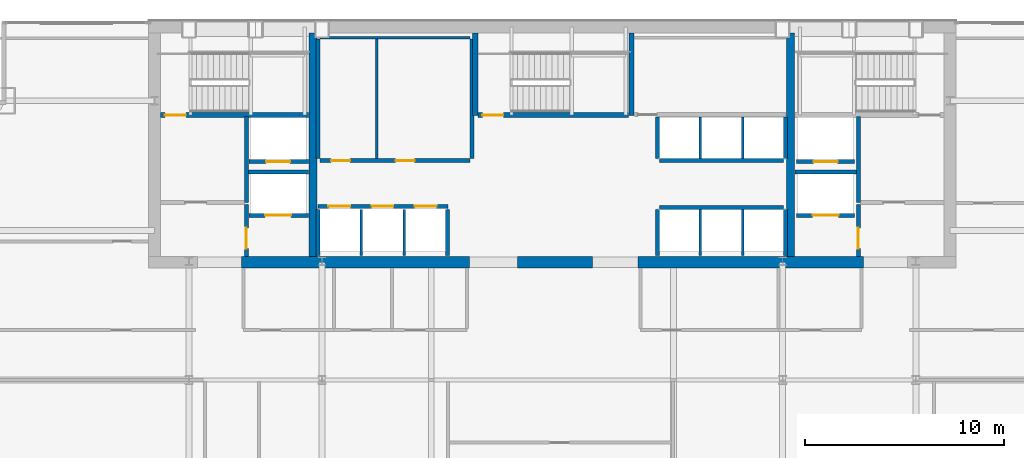
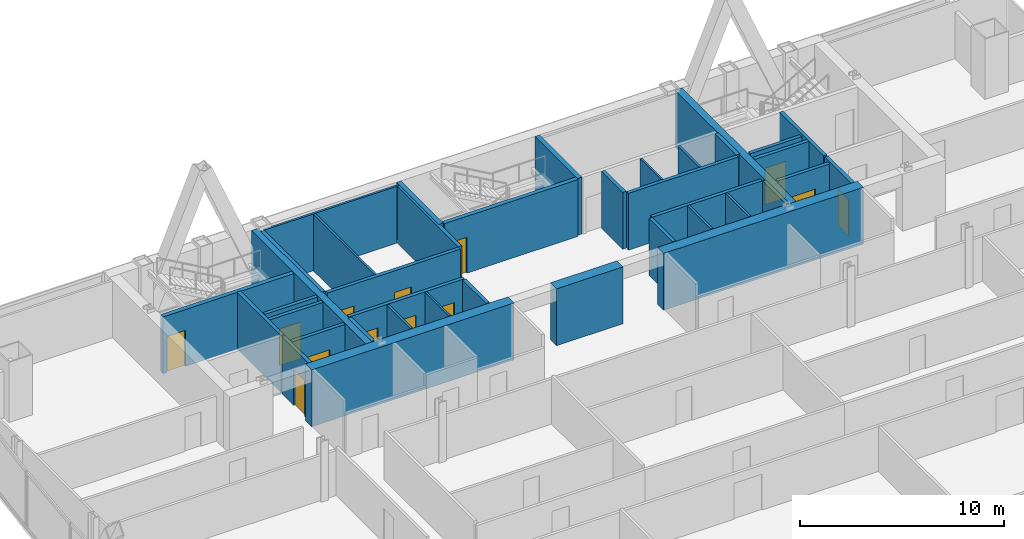
# One storey, part 26 of 29: 39 walls, 13 doors, 13 openings.
"""IFC4 building model written with IfcOpenShell, lengths in metres."""

from ifc_helpers import new_model, si_unit, direction, frame, frame_2d, origin, place, context, subcontext, project, spatial, rectangle, extrude, material, layer, layer_set, type_object, element, fill, save


model = new_model("IFC4")

# Units and contexts
model_context = context("Model", 3, precision=1e-05, world=origin(), true_north=direction((0.0, 1.0)))
body_context = subcontext(model_context, "Body", "Model", "MODEL_VIEW")
ifc_project = project(units=[si_unit("LENGTHUNIT", "METRE"), si_unit("AREAUNIT", "SQUARE_METRE"), si_unit("VOLUMEUNIT", "CUBIC_METRE"), si_unit("PLANEANGLEUNIT", "RADIAN"), si_unit("MASSUNIT", "GRAM", prefix="KILO")], contexts=[model_context])

# Site, building, storey
site_placement = place(None, origin())
site = spatial("IfcSite", under=ifc_project, at=site_placement, CompositionType="ELEMENT")
building_placement = place(site_placement, origin())
building = spatial("IfcBuilding", under=site, at=building_placement, Name="Khoronbel Lancet Exchange", CompositionType="ELEMENT")
storey_placement = place(building_placement, frame((0.0, 0.0, 180.60009765625)))
storey = spatial("IfcBuildingStorey", under=building, at=storey_placement, Name="L45", CompositionType="ELEMENT", Elevation=180.60009765625)

# Walls
ifc_material_1 = material(Name="Concrete C60/75", Category="concrete")
ifc_layer_1 = layer(ifc_material_1, 0.60009765625, Name="Concrete C60/75")
ifc_layer_set_1 = layer_set([ifc_layer_1], Name="Concrete C60/75")
wall_type_1 = type_object("IfcWallType", Name="WL-CW3", PredefinedType="SHEAR", material=ifc_layer_set_1)
wall_1_placement = place(storey_placement, frame((32.300048828125, 41.60009765625, 0.0), z_axis=(0.0, 0.0, 1.0), x_axis=(-1.0, 0.0, 0.0)))
element("IfcWall", 1, at=wall_1_placement, inside=storey, type_object=wall_type_1, Name="Level L45 rear core south shear wall pier P2", PredefinedType="SHEAR", context=body_context, shape_type="SweptSolid", body=[
    extrude(rectangle(XDim=11.449951171875, YDim=0.60009765625, at=frame_2d((5.72509765625, 0.0))), origin(), (0.0, 0.0, 1.0), 3.39990234375),
])
wall_2_placement = place(storey_placement, frame((38.449951171875, 41.60009765625, 0.0), z_axis=(0.0, 0.0, 1.0), x_axis=(-1.0, 0.0, 0.0)))
element("IfcWall", 2, at=wall_2_placement, inside=storey, type_object=wall_type_1, Name="Level L45 rear core south shear wall pier P3", PredefinedType="SHEAR", context=body_context, shape_type="SweptSolid", body=[
    extrude(rectangle(XDim=3.75, YDim=0.60009765625, at=frame_2d((1.875, 0.0))), origin(), (0.0, 0.0, 1.0), 3.39990234375),
])
wall_3_placement = place(storey_placement, frame((52.050048828125, 41.60009765625, 0.0), z_axis=(0.0, 0.0, 1.0), x_axis=(-1.0, 0.0, 0.0)))
element("IfcWall", 3, at=wall_3_placement, inside=storey, type_object=wall_type_1, Name="Level L45 rear core south shear wall pier P4", PredefinedType="SHEAR", context=body_context, shape_type="SweptSolid", body=[
    extrude(rectangle(XDim=11.300048828125, YDim=0.60009765625, at=frame_2d((5.64990234375, 0.0))), origin(), (0.0, 0.0, 1.0), 3.39990234375),
])
ifc_material_2 = material(Name="Fire-Rated Metal-Stud & Mineral-Wool Gypsum Partition 120 mm", Category="gypsum")
ifc_layer_2 = layer(ifc_material_2, 0.1201171875, Name="Fire-Rated Metal-Stud & Mineral-Wool Gypsum Partition 120 mm")
ifc_layer_set_2 = layer_set([ifc_layer_2], Name="Fire-Rated Metal-Stud & Mineral-Wool Gypsum Partition 120 mm")
wall_type_2 = type_object("IfcWallType", Name="WL-PRT120F", PredefinedType="PARTITIONING", material=ifc_layer_set_2)
wall_4_placement = place(storey_placement, frame((24.804931640625, 52.860107421875, 0.0), z_axis=(0.0, 0.0, 1.0), x_axis=(1.0, 0.0, 0.0)))
element("IfcWall", 4, at=wall_4_placement, inside=storey, type_object=wall_type_2, Name="Level L45 interior partition CW-PL-RN", PredefinedType="PARTITIONING", context=body_context, shape_type="SweptSolid", body=[
    extrude(rectangle(XDim=7.510009765625, YDim=0.1201171875, at=frame_2d((3.7548828125, 0.0))), origin(), (0.0, 0.0, 1.0), 3.39990234375),
])
wall_5_placement = place(storey_placement, frame((27.633544921875, 46.804931640625, 0.0), z_axis=(0.0, 0.0, 1.0), x_axis=(0.0, 1.0, 0.0)))
element("IfcWall", 5, at=wall_5_placement, inside=storey, type_object=wall_type_2, Name="Level L45 interior partition CW-PL-RS1", PredefinedType="PARTITIONING", context=body_context, shape_type="SweptSolid", body=[
    extrude(rectangle(XDim=5.989990234375, YDim=0.1201171875, at=frame_2d((2.9951171875, 0.0))), origin(), (0.0, 0.0, 1.0), 3.39990234375),
])
for number, where, z_axis, x_axis, name in (
    (6, (26.860107421875, 41.949951171875, 0.0), (0.0, 0.0, 1.0), (0.0, 1.0, 0.0), "Level L45 interior partition CW-PM-D1"),
    (7, (29.02001953125, 41.949951171875, 0.0), (0.0, 0.0, 1.0), (0.0, 1.0, 0.0), "Level L45 interior partition CW-PM-D2"),
):
    element("IfcWall", number, at=place(storey_placement, frame(where, z_axis=z_axis, x_axis=x_axis)), inside=storey, type_object=wall_type_2, Name=name, PredefinedType="PARTITIONING", context=body_context, shape_type="SweptSolid", body=[
        extrude(rectangle(XDim=2.300048828125, YDim=0.1201171875, at=frame_2d((1.14990234375, 0.0))), origin(), (0.0, 0.0, 1.0), 3.39990234375),
    ])
for number, where, z_axis, x_axis, name in (
    (8, (43.860107421875, 46.804931640625, 0.0), (0.0, 0.0, 1.0), (0.0, 1.0, 0.0), "Level L45 interior partition CW-PH-D1"),
    (9, (46.0, 46.804931640625, 0.0), (0.0, 0.0, 1.0), (0.0, 1.0, 0.0), "Level L45 interior partition CW-PH-D2"),
):
    element("IfcWall", number, at=place(storey_placement, frame(where, z_axis=z_axis, x_axis=x_axis)), inside=storey, type_object=wall_type_2, Name=name, PredefinedType="PARTITIONING", context=body_context, shape_type="SweptSolid", body=[
        extrude(rectangle(XDim=2.090087890625, YDim=0.1201171875, at=frame_2d((1.044921875, 0.0))), origin(), (0.0, 0.0, 1.0), 3.39990234375),
    ])
for number, where, z_axis, x_axis, name in (
    (10, (43.860107421875, 41.949951171875, 0.0), (0.0, 0.0, 1.0), (0.0, 1.0, 0.0), "Level L45 interior partition CW-PX-D1"),
    (11, (46.0, 41.949951171875, 0.0), (0.0, 0.0, 1.0), (0.0, 1.0, 0.0), "Level L45 interior partition CW-PX-D2"),
):
    element("IfcWall", number, at=place(storey_placement, frame(where, z_axis=z_axis, x_axis=x_axis)), inside=storey, type_object=wall_type_2, Name=name, PredefinedType="PARTITIONING", context=body_context, shape_type="SweptSolid", body=[
        extrude(rectangle(XDim=2.295166015625, YDim=0.1201171875, at=frame_2d((1.1474609375, 0.0))), origin(), (0.0, 0.0, 1.0), 3.39990234375),
    ])

# Wall, openings, doors
ifc_material_3 = material(Name="Autoclaved Aerated Concrete Blockwork 200 mm", Category="masonry")
ifc_layer_3 = layer(ifc_material_3, 0.199951171875, Name="Autoclaved Aerated Concrete Blockwork 200 mm")
ifc_layer_set_3 = layer_set([ifc_layer_3], Name="Autoclaved Aerated Concrete Blockwork 200 mm")
wall_type_3 = type_object("IfcWallType", Name="WL-PRT200", PredefinedType="PARTITIONING", material=ifc_layer_set_3)
wall_6_placement = place(storey_placement, frame((24.68994140625, 44.39990234375, 0.0), z_axis=(0.0, 0.0, 1.0), x_axis=(1.0, 0.0, 0.0)))
wall_6 = element("IfcWall", 12, at=wall_6_placement, inside=storey, type_object=wall_type_3, Name="Level L45 elevator hoistway landing front wall PMW", PredefinedType="PARTITIONING", context=body_context, shape_type="SweptSolid", body=[
    extrude(rectangle(XDim=6.530029296875, YDim=0.199951171875, at=frame_2d((3.26513671875, 0.0))), origin(), (0.0, 0.0, 1.0), 3.39990234375),
])
opening_1_placement = place(wall_6_placement, frame((0.530029296875, 0.0, 0.0)))
opening_1 = element("IfcOpeningElement", 13, at=opening_1_placement, cuts=wall_6, Name="Opening LD-PM1", PredefinedType="OPENING", context=body_context, shape_type="SweptSolid", body=[
    extrude(rectangle(XDim=1.10009765625, YDim=2.179931640625, at=frame_2d((0.550048828125, 1.08984375))), frame((0.0, 0.10986328125, 0.0), z_axis=(0.0, -1.0, 0.0), x_axis=(1.0, 0.0, 0.0)), (0.0, 0.0, 1.0), 0.219970703125),
])
opening_2_placement = place(wall_6_placement, frame((2.68994140625, 0.0, 0.0)))
opening_2 = element("IfcOpeningElement", 14, at=opening_2_placement, cuts=wall_6, Name="Opening LD-PM2", PredefinedType="OPENING", context=body_context, shape_type="SweptSolid", body=[
    extrude(rectangle(XDim=1.10009765625, YDim=2.179931640625, at=frame_2d((0.550048828125, 1.08984375))), frame((0.0, 0.10986328125, 0.0), z_axis=(0.0, -1.0, 0.0), x_axis=(1.0, 0.0, 0.0)), (0.0, 0.0, 1.0), 0.219970703125),
])
opening_3_placement = place(wall_6_placement, frame((4.85009765625, 0.0, 0.0)))
opening_3 = element("IfcOpeningElement", 15, at=opening_3_placement, cuts=wall_6, Name="Opening LD-PM3", PredefinedType="OPENING", context=body_context, shape_type="SweptSolid", body=[
    extrude(rectangle(XDim=1.10009765625, YDim=2.179931640625, at=frame_2d((0.550048828125, 1.08984375))), frame((0.0, 0.10986328125, 0.0), z_axis=(0.0, -1.0, 0.0), x_axis=(1.0, 0.0, 0.0)), (0.0, 0.0, 1.0), 0.219970703125),
])
ifc_material_4 = material(Name="Brushed Bronze Bi-Parting Elevator Landing Door", Category="steel")
door_type_1 = type_object("IfcDoorType", Name="DR-LD-PAX", OperationType="NOTDEFINED", PredefinedType="DOOR", material=ifc_material_4)
door_1_placement = place(opening_1_placement, origin())
door_1 = element("IfcDoor", 16, at=door_1_placement, inside=storey, type_object=door_type_1, Name="Elevator landing sliding door LD-PM1 L45", OperationType="SLIDING_TO_LEFT", OverallHeight=2.179931640625, OverallWidth=1.10009765625, PredefinedType="DOOR", context=body_context, shape_type="SweptSolid", body=[
    extrude(rectangle(XDim=1.10009765625, YDim=2.179931640625, at=frame_2d((0.550048828125, 1.08984375))), frame((0.0, 0.02490234375, 0.0), z_axis=(0.0, -1.0, 0.0), x_axis=(1.0, 0.0, 0.0)), (0.0, 0.0, 1.0), 0.050048828125),
])
fill(opening_1, door_1)
door_2_placement = place(opening_2_placement, origin())
door_2 = element("IfcDoor", 17, at=door_2_placement, inside=storey, type_object=door_type_1, Name="Elevator landing sliding door LD-PM2 L45", OperationType="SLIDING_TO_LEFT", OverallHeight=2.179931640625, OverallWidth=1.10009765625, PredefinedType="DOOR", context=body_context, shape_type="SweptSolid", body=[
    extrude(rectangle(XDim=1.10009765625, YDim=2.179931640625, at=frame_2d((0.550048828125, 1.08984375))), frame((0.0, 0.02490234375, 0.0), z_axis=(0.0, -1.0, 0.0), x_axis=(1.0, 0.0, 0.0)), (0.0, 0.0, 1.0), 0.050048828125),
])
fill(opening_2, door_2)
door_3_placement = place(opening_3_placement, origin())
door_3 = element("IfcDoor", 18, at=door_3_placement, inside=storey, type_object=door_type_1, Name="Elevator landing sliding door LD-PM3 L45", OperationType="SLIDING_TO_LEFT", OverallHeight=2.179931640625, OverallWidth=1.10009765625, PredefinedType="DOOR", context=body_context, shape_type="SweptSolid", body=[
    extrude(rectangle(XDim=1.10009765625, YDim=2.179931640625, at=frame_2d((0.550048828125, 1.08984375))), frame((0.0, 0.02490234375, 0.0), z_axis=(0.0, -1.0, 0.0), x_axis=(1.0, 0.0, 0.0)), (0.0, 0.0, 1.0), 0.050048828125),
])
fill(opening_3, door_3)

# Wall, opening, door
wall_7_placement = place(storey_placement, frame((51.610107421875, 43.949951171875, 0.0), z_axis=(0.0, 0.0, 1.0), x_axis=(-1.0, 0.0, 0.0)))
wall_7 = element("IfcWall", 19, at=wall_7_placement, inside=storey, type_object=wall_type_3, Name="Level L45 elevator hoistway landing front wall SVLE", PredefinedType="PARTITIONING", context=body_context, shape_type="SweptSolid", body=[
    extrude(rectangle(XDim=2.920166015625, YDim=0.199951171875, at=frame_2d((1.4599609375, 0.0))), origin(), (0.0, 0.0, 1.0), 3.39990234375),
])
opening_4_placement = place(wall_7_placement, frame((0.81005859375, 0.0, 0.0)))
opening_4 = element("IfcOpeningElement", 20, at=opening_4_placement, cuts=wall_7, Name="Opening LD-SVL2", PredefinedType="OPENING", context=body_context, shape_type="SweptSolid", body=[
    extrude(rectangle(XDim=1.300048828125, YDim=2.179931640625, at=frame_2d((0.64990234375, 1.08984375))), frame((0.0, 0.10986328125, 0.0), z_axis=(0.0, -1.0, 0.0), x_axis=(1.0, 0.0, 0.0)), (0.0, 0.0, 1.0), 0.219970703125),
])
ifc_material_5 = material(Name="Heavy-Duty Bi-Parting Goods Lift Landing Door", Category="steel")
door_type_2 = type_object("IfcDoorType", Name="DR-LD-SVL", OperationType="NOTDEFINED", PredefinedType="DOOR", material=ifc_material_5)
door_4_placement = place(opening_4_placement, origin())
door_4 = element("IfcDoor", 21, at=door_4_placement, inside=storey, type_object=door_type_2, Name="Elevator landing sliding door LD-SVL2 L45", OperationType="SLIDING_TO_LEFT", OverallHeight=2.179931640625, OverallWidth=1.300048828125, PredefinedType="DOOR", context=body_context, shape_type="SweptSolid", body=[
    extrude(rectangle(XDim=1.300048828125, YDim=2.179931640625, at=frame_2d((0.64990234375, 1.08984375))), frame((0.0, 0.02490234375, 0.0), z_axis=(0.0, -1.0, 0.0), x_axis=(1.0, 0.0, 0.0)), (0.0, 0.0, 1.0), 0.050048828125),
])
fill(opening_4, door_4)

wall_8_placement = place(storey_placement, frame((24.2099609375, 43.949951171875, 0.0), z_axis=(0.0, 0.0, 1.0), x_axis=(-1.0, 0.0, 0.0)))
wall_8 = element("IfcWall", 22, at=wall_8_placement, inside=storey, type_object=wall_type_3, Name="Level L45 elevator hoistway landing front wall SVLW", PredefinedType="PARTITIONING", context=body_context, shape_type="SweptSolid", body=[
    extrude(rectangle(XDim=2.969970703125, YDim=0.199951171875, at=frame_2d((1.48486328125, 0.0))), origin(), (0.0, 0.0, 1.0), 3.39990234375),
])
opening_5_placement = place(wall_8_placement, frame((0.860107421875, 0.0, 0.0)))
opening_5 = element("IfcOpeningElement", 23, at=opening_5_placement, cuts=wall_8, Name="Opening LD-SVL1", PredefinedType="OPENING", context=body_context, shape_type="SweptSolid", body=[
    extrude(rectangle(XDim=1.300048828125, YDim=2.179931640625, at=frame_2d((0.64990234375, 1.08984375))), frame((0.0, 0.10986328125, 0.0), z_axis=(0.0, -1.0, 0.0), x_axis=(1.0, 0.0, 0.0)), (0.0, 0.0, 1.0), 0.219970703125),
])
door_5_placement = place(opening_5_placement, origin())
door_5 = element("IfcDoor", 24, at=door_5_placement, inside=storey, type_object=door_type_2, Name="Elevator landing sliding door LD-SVL1 L45", OperationType="SLIDING_TO_LEFT", OverallHeight=2.179931640625, OverallWidth=1.300048828125, PredefinedType="DOOR", context=body_context, shape_type="SweptSolid", body=[
    extrude(rectangle(XDim=1.300048828125, YDim=2.179931640625, at=frame_2d((0.64990234375, 1.08984375))), frame((0.0, 0.02490234375, 0.0), z_axis=(0.0, -1.0, 0.0), x_axis=(1.0, 0.0, 0.0)), (0.0, 0.0, 1.0), 0.050048828125),
])
fill(opening_5, door_5)

wall_9_placement = place(storey_placement, frame((51.610107421875, 46.64990234375, 0.0), z_axis=(0.0, 0.0, 1.0), x_axis=(-1.0, 0.0, 0.0)))
wall_9 = element("IfcWall", 25, at=wall_9_placement, inside=storey, type_object=wall_type_3, Name="Level L45 elevator hoistway landing front wall FFLE", PredefinedType="PARTITIONING", context=body_context, shape_type="SweptSolid", body=[
    extrude(rectangle(XDim=2.920166015625, YDim=0.199951171875, at=frame_2d((1.4599609375, 0.0))), origin(), (0.0, 0.0, 1.0), 3.39990234375),
])
opening_6_placement = place(wall_9_placement, frame((0.860107421875, 0.0, 0.0)))
opening_6 = element("IfcOpeningElement", 26, at=opening_6_placement, cuts=wall_9, Name="Opening LD-FFL2", PredefinedType="OPENING", context=body_context, shape_type="SweptSolid", body=[
    extrude(rectangle(XDim=1.199951171875, YDim=2.179931640625, at=frame_2d((0.60009765625, 1.08984375))), frame((0.0, 0.10986328125, 0.0), z_axis=(0.0, -1.0, 0.0), x_axis=(1.0, 0.0, 0.0)), (0.0, 0.0, 1.0), 0.219970703125),
])
ifc_material_6 = material(Name="Fire-Rated Stainless Bi-Parting Firefighting Lift Door", Category="steel")
door_type_3 = type_object("IfcDoorType", Name="DR-LD-FFL", OperationType="NOTDEFINED", PredefinedType="DOOR", material=ifc_material_6)
door_6_placement = place(opening_6_placement, origin())
door_6 = element("IfcDoor", 27, at=door_6_placement, inside=storey, type_object=door_type_3, Name="Elevator landing sliding door LD-FFL2 L45", OperationType="SLIDING_TO_LEFT", OverallHeight=2.179931640625, OverallWidth=1.199951171875, PredefinedType="DOOR", context=body_context, shape_type="SweptSolid", body=[
    extrude(rectangle(XDim=1.199951171875, YDim=2.179931640625, at=frame_2d((0.60009765625, 1.08984375))), frame((0.0, 0.02490234375, 0.0), z_axis=(0.0, -1.0, 0.0), x_axis=(1.0, 0.0, 0.0)), (0.0, 0.0, 1.0), 0.050048828125),
])
fill(opening_6, door_6)

wall_10_placement = place(storey_placement, frame((24.2099609375, 46.64990234375, 0.0), z_axis=(0.0, 0.0, 1.0), x_axis=(-1.0, 0.0, 0.0)))
wall_10 = element("IfcWall", 28, at=wall_10_placement, inside=storey, type_object=wall_type_3, Name="Level L45 elevator hoistway landing front wall FFLW", PredefinedType="PARTITIONING", context=body_context, shape_type="SweptSolid", body=[
    extrude(rectangle(XDim=2.969970703125, YDim=0.199951171875, at=frame_2d((1.48486328125, 0.0))), origin(), (0.0, 0.0, 1.0), 3.39990234375),
])
opening_7_placement = place(wall_10_placement, frame((0.909912109375, 0.0, 0.0)))
opening_7 = element("IfcOpeningElement", 29, at=opening_7_placement, cuts=wall_10, Name="Opening LD-FFL1", PredefinedType="OPENING", context=body_context, shape_type="SweptSolid", body=[
    extrude(rectangle(XDim=1.199951171875, YDim=2.179931640625, at=frame_2d((0.60009765625, 1.08984375))), frame((0.0, 0.10986328125, 0.0), z_axis=(0.0, -1.0, 0.0), x_axis=(1.0, 0.0, 0.0)), (0.0, 0.0, 1.0), 0.219970703125),
])
door_7_placement = place(opening_7_placement, origin())
door_7 = element("IfcDoor", 30, at=door_7_placement, inside=storey, type_object=door_type_3, Name="Elevator landing sliding door LD-FFL1 L45", OperationType="SLIDING_TO_LEFT", OverallHeight=2.179931640625, OverallWidth=1.199951171875, PredefinedType="DOOR", context=body_context, shape_type="SweptSolid", body=[
    extrude(rectangle(XDim=1.199951171875, YDim=2.179931640625, at=frame_2d((0.60009765625, 1.08984375))), frame((0.0, 0.02490234375, 0.0), z_axis=(0.0, -1.0, 0.0), x_axis=(1.0, 0.0, 0.0)), (0.0, 0.0, 1.0), 0.050048828125),
])
fill(opening_7, door_7)

# Walls
wall_11_placement = place(storey_placement, frame((21.10009765625, 44.60009765625, 0.0), z_axis=(0.0, 0.0, 1.0), x_axis=(0.0, 1.0, 0.0)))
element("IfcWall", 31, at=wall_11_placement, inside=storey, type_object=wall_type_3, Name="Level L45 interior partition CW-FFLW-E", PredefinedType="PARTITIONING", context=body_context, shape_type="SweptSolid", body=[
    extrude(rectangle(XDim=4.2998046875, YDim=0.199951171875, at=frame_2d((2.14990234375, 0.0))), origin(), (0.0, 0.0, 1.0), 3.39990234375),
])
wall_12_placement = place(storey_placement, frame((21.199951171875, 46.1201171875, 0.0), z_axis=(0.0, 0.0, 1.0), x_axis=(1.0, 0.0, 0.0)))
element("IfcWall", 32, at=wall_12_placement, inside=storey, type_object=wall_type_3, Name="Level L45 interior partition CW-FFL1-S", PredefinedType="PARTITIONING", context=body_context, shape_type="SweptSolid", body=[
    extrude(rectangle(XDim=3.02001953125, YDim=0.199951171875, at=frame_2d((1.510009765625, 0.0))), origin(), (0.0, 0.0, 1.0), 3.39990234375),
])

# Wall, opening, door
wall_13_placement = place(storey_placement, frame((21.10009765625, 41.89990234375, 0.0), z_axis=(0.0, 0.0, 1.0), x_axis=(0.0, 1.0, 0.0)))
wall_13 = element("IfcWall", 33, at=wall_13_placement, inside=storey, type_object=wall_type_3, Name="Level L45 interior partition CW-SVLW-W", PredefinedType="PARTITIONING", context=body_context, shape_type="SweptSolid", body=[
    extrude(rectangle(XDim=2.59521484375, YDim=0.199951171875, at=frame_2d((1.297607421875, 0.0))), origin(), (0.0, 0.0, 1.0), 3.39990234375),
])
opening_8_placement = place(wall_13_placement, frame((0.3798828125, 0.0, 0.0)))
opening_8 = element("IfcOpeningElement", 34, at=opening_8_placement, cuts=wall_13, Name="Opening FD1", PredefinedType="OPENING", context=body_context, shape_type="SweptSolid", body=[
    extrude(rectangle(XDim=1.050048828125, YDim=2.14990234375, at=frame_2d((0.52490234375, 1.074951171875))), frame((0.0, 0.10986328125, 0.0), z_axis=(0.0, -1.0, 0.0), x_axis=(1.0, 0.0, 0.0)), (0.0, 0.0, 1.0), 0.219970703125),
])
ifc_material_7 = material(Name="Fire-Rated Painted Steel Door Assembly", Category="steel")
door_type_4 = type_object("IfcDoorType", Name="DR-FD1", OperationType="NOTDEFINED", PredefinedType="DOOR", material=ifc_material_7)
door_8_placement = place(opening_8_placement, origin())
door_8 = element("IfcDoor", 35, at=door_8_placement, inside=storey, type_object=door_type_4, Name="West service lift lobby door L45-1", OperationType="SINGLE_SWING_LEFT", OverallHeight=2.14990234375, OverallWidth=1.050048828125, PredefinedType="DOOR", context=body_context, shape_type="SweptSolid", body=[
    extrude(rectangle(XDim=1.050048828125, YDim=2.14990234375, at=frame_2d((0.52490234375, 1.074951171875))), frame((0.0, 0.02490234375, 0.0), z_axis=(0.0, -1.0, 0.0), x_axis=(1.0, 0.0, 0.0)), (0.0, 0.0, 1.0), 0.050048828125),
])
fill(opening_8, door_8)

# Walls
wall_14_placement = place(storey_placement, frame((51.800048828125, 44.60009765625, 0.0), z_axis=(0.0, 0.0, 1.0), x_axis=(0.0, 1.0, 0.0)))
element("IfcWall", 36, at=wall_14_placement, inside=storey, type_object=wall_type_3, Name="Level L45 interior partition CW-FFLE-W", PredefinedType="PARTITIONING", context=body_context, shape_type="SweptSolid", body=[
    extrude(rectangle(XDim=4.2998046875, YDim=0.199951171875, at=frame_2d((2.14990234375, 0.0))), origin(), (0.0, 0.0, 1.0), 3.39990234375),
])
wall_15_placement = place(storey_placement, frame((48.6298828125, 46.1201171875, 0.0), z_axis=(0.0, 0.0, 1.0), x_axis=(1.0, 0.0, 0.0)))
element("IfcWall", 37, at=wall_15_placement, inside=storey, type_object=wall_type_3, Name="Level L45 interior partition CW-FFL2-S", PredefinedType="PARTITIONING", context=body_context, shape_type="SweptSolid", body=[
    extrude(rectangle(XDim=3.070068359375, YDim=0.199951171875, at=frame_2d((1.53515625, 0.0))), origin(), (0.0, 0.0, 1.0), 3.39990234375),
])

# Wall, opening, door
wall_16_placement = place(storey_placement, frame((51.800048828125, 41.89990234375, 0.0), z_axis=(0.0, 0.0, 1.0), x_axis=(0.0, 1.0, 0.0)))
wall_16 = element("IfcWall", 38, at=wall_16_placement, inside=storey, type_object=wall_type_3, Name="Level L45 interior partition CW-SVLE-E", PredefinedType="PARTITIONING", context=body_context, shape_type="SweptSolid", body=[
    extrude(rectangle(XDim=2.59521484375, YDim=0.199951171875, at=frame_2d((1.297607421875, 0.0))), origin(), (0.0, 0.0, 1.0), 3.39990234375),
])
opening_9_placement = place(wall_16_placement, frame((0.3798828125, 0.0, 0.0)))
opening_9 = element("IfcOpeningElement", 39, at=opening_9_placement, cuts=wall_16, Name="Opening FD1", PredefinedType="OPENING", context=body_context, shape_type="SweptSolid", body=[
    extrude(rectangle(XDim=1.050048828125, YDim=2.14990234375, at=frame_2d((0.52490234375, 1.074951171875))), frame((0.0, 0.10986328125, 0.0), z_axis=(0.0, -1.0, 0.0), x_axis=(1.0, 0.0, 0.0)), (0.0, 0.0, 1.0), 0.219970703125),
])
door_9_placement = place(opening_9_placement, origin())
door_9 = element("IfcDoor", 40, at=door_9_placement, inside=storey, type_object=door_type_4, Name="East service lift lobby door L45-1", OperationType="SINGLE_SWING_LEFT", OverallHeight=2.14990234375, OverallWidth=1.050048828125, PredefinedType="DOOR", context=body_context, shape_type="SweptSolid", body=[
    extrude(rectangle(XDim=1.050048828125, YDim=2.14990234375, at=frame_2d((0.52490234375, 1.074951171875))), frame((0.0, 0.02490234375, 0.0), z_axis=(0.0, -1.0, 0.0), x_axis=(1.0, 0.0, 0.0)), (0.0, 0.0, 1.0), 0.050048828125),
])
fill(opening_9, door_9)

# Walls
for number, where, z_axis, x_axis, name in (
    (41, (24.699951171875, 46.804931640625, 0.0), (0.0, 0.0, 1.0), (0.0, 1.0, 0.0), "Level L45 interior partition CW-PL-RW"),
    (42, (32.419921875, 46.804931640625, 0.0), (0.0, 0.0, 1.0), (0.0, 1.0, 0.0), "Level L45 interior partition CW-PL-RE"),
):
    element("IfcWall", number, at=place(storey_placement, frame(where, z_axis=z_axis, x_axis=x_axis)), inside=storey, type_object=wall_type_3, Name=name, PredefinedType="PARTITIONING", context=body_context, shape_type="SweptSolid", body=[
        extrude(rectangle(XDim=5.989990234375, YDim=0.199951171875, at=frame_2d((2.9951171875, 0.0))), origin(), (0.0, 0.0, 1.0), 3.39990234375),
    ])

# Wall, openings, doors
wall_17_placement = place(storey_placement, frame((24.804931640625, 46.699951171875, 0.0), z_axis=(0.0, 0.0, 1.0), x_axis=(1.0, 0.0, 0.0)))
wall_17 = element("IfcWall", 43, at=wall_17_placement, inside=storey, type_object=wall_type_3, Name="Level L45 interior partition CW-PL-RF", PredefinedType="PARTITIONING", context=body_context, shape_type="SweptSolid", body=[
    extrude(rectangle(XDim=7.510009765625, YDim=0.199951171875, at=frame_2d((3.7548828125, 0.0))), origin(), (0.0, 0.0, 1.0), 3.39990234375),
])
opening_10_placement = place(wall_17_placement, frame((0.550048828125, 0.0, 0.0)))
opening_10 = element("IfcOpeningElement", 44, at=opening_10_placement, cuts=wall_17, Name="Opening FD3", PredefinedType="OPENING", context=body_context, shape_type="SweptSolid", body=[
    extrude(rectangle(XDim=0.949951171875, YDim=2.10009765625, at=frame_2d((0.47509765625, 1.050048828125))), frame((0.0, 0.10986328125, 0.0), z_axis=(0.0, -1.0, 0.0), x_axis=(1.0, 0.0, 0.0)), (0.0, 0.0, 1.0), 0.219970703125),
])
opening_11_placement = place(wall_17_placement, frame((3.78369140625, 0.0, 0.0)))
opening_11 = element("IfcOpeningElement", 45, at=opening_11_placement, cuts=wall_17, Name="Opening FD3", PredefinedType="OPENING", context=body_context, shape_type="SweptSolid", body=[
    extrude(rectangle(XDim=0.949951171875, YDim=2.10009765625, at=frame_2d((0.47509765625, 1.050048828125))), frame((0.0, 0.10986328125, 0.0), z_axis=(0.0, -1.0, 0.0), x_axis=(1.0, 0.0, 0.0)), (0.0, 0.0, 1.0), 0.219970703125),
])
ifc_material_8 = material(Name="Fire-Rated Steel Plant & Riser Door Assembly", Category="steel")
door_type_5 = type_object("IfcDoorType", Name="DR-FD3", OperationType="NOTDEFINED", PredefinedType="DOOR", material=ifc_material_8)
door_10_placement = place(opening_10_placement, origin())
door_10 = element("IfcDoor", 46, at=door_10_placement, inside=storey, type_object=door_type_5, Name="Reclaimed PL A door L45-1", OperationType="SINGLE_SWING_RIGHT", OverallHeight=2.10009765625, OverallWidth=0.949951171875, PredefinedType="DOOR", context=body_context, shape_type="SweptSolid", body=[
    extrude(rectangle(XDim=0.949951171875, YDim=2.10009765625, at=frame_2d((0.47509765625, 1.050048828125))), frame((0.0, 0.02490234375, 0.0), z_axis=(0.0, -1.0, 0.0), x_axis=(1.0, 0.0, 0.0)), (0.0, 0.0, 1.0), 0.050048828125),
])
fill(opening_10, door_10)
door_11_placement = place(opening_11_placement, origin())
door_11 = element("IfcDoor", 47, at=door_11_placement, inside=storey, type_object=door_type_5, Name="Reclaimed PL B door L45-2", OperationType="SINGLE_SWING_LEFT", OverallHeight=2.10009765625, OverallWidth=0.949951171875, PredefinedType="DOOR", context=body_context, shape_type="SweptSolid", body=[
    extrude(rectangle(XDim=0.949951171875, YDim=2.10009765625, at=frame_2d((0.47509765625, 1.050048828125))), frame((0.0, 0.02490234375, 0.0), z_axis=(0.0, -1.0, 0.0), x_axis=(1.0, 0.0, 0.0)), (0.0, 0.0, 1.0), 0.050048828125),
])
fill(opening_11, door_11)

# Walls
for number, where, z_axis, x_axis, name in (
    (48, (24.699951171875, 41.949951171875, 0.0), (0.0, 0.0, 1.0), (0.0, 1.0, 0.0), "Level L45 interior partition CW-PM-W"),
    (49, (31.179931640625, 41.949951171875, 0.0), (0.0, 0.0, 1.0), (0.0, 1.0, 0.0), "Level L45 interior partition CW-PM-E"),
):
    element("IfcWall", number, at=place(storey_placement, frame(where, z_axis=z_axis, x_axis=x_axis)), inside=storey, type_object=wall_type_3, Name=name, PredefinedType="PARTITIONING", context=body_context, shape_type="SweptSolid", body=[
        extrude(rectangle(XDim=2.300048828125, YDim=0.199951171875, at=frame_2d((1.14990234375, 0.0))), origin(), (0.0, 0.0, 1.0), 3.39990234375),
    ])
wall_18_placement = place(storey_placement, frame((41.824951171875, 46.699951171875, 0.0), z_axis=(0.0, 0.0, 1.0), x_axis=(1.0, 0.0, 0.0)))
element("IfcWall", 50, at=wall_18_placement, inside=storey, type_object=wall_type_3, Name="Level L45 interior partition CW-PH-EXP", PredefinedType="PARTITIONING", context=body_context, shape_type="SweptSolid", body=[
    extrude(rectangle(XDim=6.2099609375, YDim=0.199951171875, at=frame_2d((3.10498046875, 0.0))), origin(), (0.0, 0.0, 1.0), 3.39990234375),
])
for number, where, z_axis, x_axis, name in (
    (51, (41.719970703125, 46.804931640625, 0.0), (0.0, 0.0, 1.0), (0.0, 1.0, 0.0), "Level L45 interior partition CW-PH-W"),
    (52, (48.139892578125, 46.804931640625, 0.0), (0.0, 0.0, 1.0), (0.0, 1.0, 0.0), "Level L45 interior partition CW-PH-E"),
):
    element("IfcWall", number, at=place(storey_placement, frame(where, z_axis=z_axis, x_axis=x_axis)), inside=storey, type_object=wall_type_3, Name=name, PredefinedType="PARTITIONING", context=body_context, shape_type="SweptSolid", body=[
        extrude(rectangle(XDim=2.090087890625, YDim=0.199951171875, at=frame_2d((1.044921875, 0.0))), origin(), (0.0, 0.0, 1.0), 3.39990234375),
    ])
wall_19_placement = place(storey_placement, frame((41.824951171875, 44.35009765625, 0.0), z_axis=(0.0, 0.0, 1.0), x_axis=(1.0, 0.0, 0.0)))
element("IfcWall", 53, at=wall_19_placement, inside=storey, type_object=wall_type_3, Name="Level L45 interior partition CW-PX-EXP", PredefinedType="PARTITIONING", context=body_context, shape_type="SweptSolid", body=[
    extrude(rectangle(XDim=6.2099609375, YDim=0.199951171875, at=frame_2d((3.10498046875, 0.0))), origin(), (0.0, 0.0, 1.0), 3.39990234375),
])
for number, where, z_axis, x_axis, name in (
    (54, (41.719970703125, 41.949951171875, 0.0), (0.0, 0.0, 1.0), (0.0, 1.0, 0.0), "Level L45 interior partition CW-PX-W"),
    (55, (48.139892578125, 41.949951171875, 0.0), (0.0, 0.0, 1.0), (0.0, 1.0, 0.0), "Level L45 interior partition CW-PX-E"),
):
    element("IfcWall", number, at=place(storey_placement, frame(where, z_axis=z_axis, x_axis=x_axis)), inside=storey, type_object=wall_type_3, Name=name, PredefinedType="PARTITIONING", context=body_context, shape_type="SweptSolid", body=[
        extrude(rectangle(XDim=2.295166015625, YDim=0.199951171875, at=frame_2d((1.1474609375, 0.0))), origin(), (0.0, 0.0, 1.0), 3.39990234375),
    ])
ifc_layer_4 = layer(ifc_material_1, 0.39990234375, Name="Concrete C60/75")
ifc_layer_set_4 = layer_set([ifc_layer_4], Name="Concrete C60/75")
wall_type_4 = type_object("IfcWallType", Name="WL-SW2", PredefinedType="SHEAR", material=ifc_layer_set_4)
for number, where, z_axis, x_axis, name in (
    (56, (24.449951171875, 41.89990234375, 0.0), (0.0, 0.0, 1.0), (0.0, 1.0, 0.0), "Level L45 rear core internal spine shear wall IW"),
    (57, (48.39990234375, 41.89990234375, 0.0), (0.0, 0.0, 1.0), (0.0, 1.0, 0.0), "Level L45 rear core internal spine shear wall IE"),
):
    element("IfcWall", number, at=place(storey_placement, frame(where, z_axis=z_axis, x_axis=x_axis)), inside=storey, type_object=wall_type_4, Name=name, PredefinedType="SHEAR", context=body_context, shape_type="SweptSolid", body=[
        extrude(rectangle(XDim=11.2001953125, YDim=0.39990234375, at=frame_2d((5.60009765625, 0.0))), origin(), (0.0, 0.0, 1.0), 3.39990234375),
    ])
ifc_layer_5 = layer(ifc_material_1, 0.260009765625, Name="Concrete C60/75")
ifc_layer_set_5 = layer_set([ifc_layer_5], Name="Concrete C60/75")
wall_type_5 = type_object("IfcWallType", Name="WL-SW3", PredefinedType="SHEAR", material=ifc_layer_set_5)
for number, where, z_axis, x_axis, name in (
    (58, (32.580078125, 48.949951171875, 0.0), (0.0, 0.0, 1.0), (0.0, 1.0, 0.0), "Level L45 central stairwell structural shear wall ST3W"),
    (59, (40.419921875, 48.949951171875, 0.0), (0.0, 0.0, 1.0), (0.0, 1.0, 0.0), "Level L45 central stairwell structural shear wall ST3E"),
):
    element("IfcWall", number, at=place(storey_placement, frame(where, z_axis=z_axis, x_axis=x_axis)), inside=storey, type_object=wall_type_5, Name=name, PredefinedType="SHEAR", context=body_context, shape_type="SweptSolid", body=[
        extrude(rectangle(XDim=4.150146484375, YDim=0.260009765625, at=frame_2d((2.0751953125, 0.0))), origin(), (0.0, 0.0, 1.0), 3.39990234375),
    ])

# Wall, opening, door
wall_20_placement = place(storey_placement, frame((16.800048828125, 48.97998046875, 0.0), z_axis=(0.0, 0.0, 1.0), x_axis=(1.0, 0.0, 0.0)))
wall_20 = element("IfcWall", 60, at=wall_20_placement, inside=storey, type_object=wall_type_5, Name="Level L45 west stairwell structural south wall", PredefinedType="SHEAR", context=body_context, shape_type="SweptSolid", body=[
    extrude(rectangle(XDim=7.419921875, YDim=0.239990234375, at=frame_2d((3.7099609375, 0.0))), origin(), (0.0, 0.0, 1.0), 3.39990234375),
])
opening_12_placement = place(wall_20_placement, frame((0.219970703125, 0.0, 0.0)))
opening_12 = element("IfcOpeningElement", 61, at=opening_12_placement, cuts=wall_20, Name="Opening SD1", PredefinedType="OPENING", context=body_context, shape_type="SweptSolid", body=[
    extrude(rectangle(XDim=1.050048828125, YDim=2.14990234375, at=frame_2d((0.52490234375, 1.074951171875))), frame((0.0, 0.1298828125, 0.0), z_axis=(0.0, -1.0, 0.0), x_axis=(1.0, 0.0, 0.0)), (0.0, 0.0, 1.0), 0.260009765625),
])
ifc_material_9 = material(Name="Fire-Rated Steel Stairwell Door Assembly", Category="steel")
door_type_6 = type_object("IfcDoorType", Name="DR-SD1", OperationType="NOTDEFINED", PredefinedType="DOOR", material=ifc_material_9)
door_12_placement = place(opening_12_placement, origin())
door_12 = element("IfcDoor", 62, at=door_12_placement, inside=storey, type_object=door_type_6, Name="Protected exit stair ST1 door L45", OperationType="SINGLE_SWING_LEFT", OverallHeight=2.14990234375, OverallWidth=1.050048828125, PredefinedType="DOOR", context=body_context, shape_type="SweptSolid", body=[
    extrude(rectangle(XDim=1.050048828125, YDim=2.14990234375, at=frame_2d((0.52490234375, 1.074951171875))), frame((0.0, 0.02490234375, 0.0), z_axis=(0.0, -1.0, 0.0), x_axis=(1.0, 0.0, 0.0)), (0.0, 0.0, 1.0), 0.050048828125),
])
fill(opening_12, door_12)

wall_21_placement = place(storey_placement, frame((32.719970703125, 48.97998046875, 0.0), z_axis=(0.0, 0.0, 1.0), x_axis=(1.0, 0.0, 0.0)))
wall_21 = element("IfcWall", 63, at=wall_21_placement, inside=storey, type_object=wall_type_5, Name="Level L45 central stairwell structural south wall", PredefinedType="SHEAR", context=body_context, shape_type="SweptSolid", body=[
    extrude(rectangle(XDim=7.56005859375, YDim=0.239990234375, at=frame_2d((3.780029296875, 0.0))), origin(), (0.0, 0.0, 1.0), 3.39990234375),
])
opening_13_placement = place(wall_21_placement, frame((0.219970703125, 0.0, 0.0)))
opening_13 = element("IfcOpeningElement", 64, at=opening_13_placement, cuts=wall_21, Name="Opening SD1", PredefinedType="OPENING", context=body_context, shape_type="SweptSolid", body=[
    extrude(rectangle(XDim=1.050048828125, YDim=2.14990234375, at=frame_2d((0.52490234375, 1.074951171875))), frame((0.0, 0.1298828125, 0.0), z_axis=(0.0, -1.0, 0.0), x_axis=(1.0, 0.0, 0.0)), (0.0, 0.0, 1.0), 0.260009765625),
])
door_13_placement = place(opening_13_placement, origin())
door_13 = element("IfcDoor", 65, at=door_13_placement, inside=storey, type_object=door_type_6, Name="Protected exit stair ST3 door L45", OperationType="SINGLE_SWING_LEFT", OverallHeight=2.14990234375, OverallWidth=1.050048828125, PredefinedType="DOOR", context=body_context, shape_type="SweptSolid", body=[
    extrude(rectangle(XDim=1.050048828125, YDim=2.14990234375, at=frame_2d((0.52490234375, 1.074951171875))), frame((0.0, 0.02490234375, 0.0), z_axis=(0.0, -1.0, 0.0), x_axis=(1.0, 0.0, 0.0)), (0.0, 0.0, 1.0), 0.050048828125),
])
fill(opening_13, door_13)

save(model, "model.ifc")
